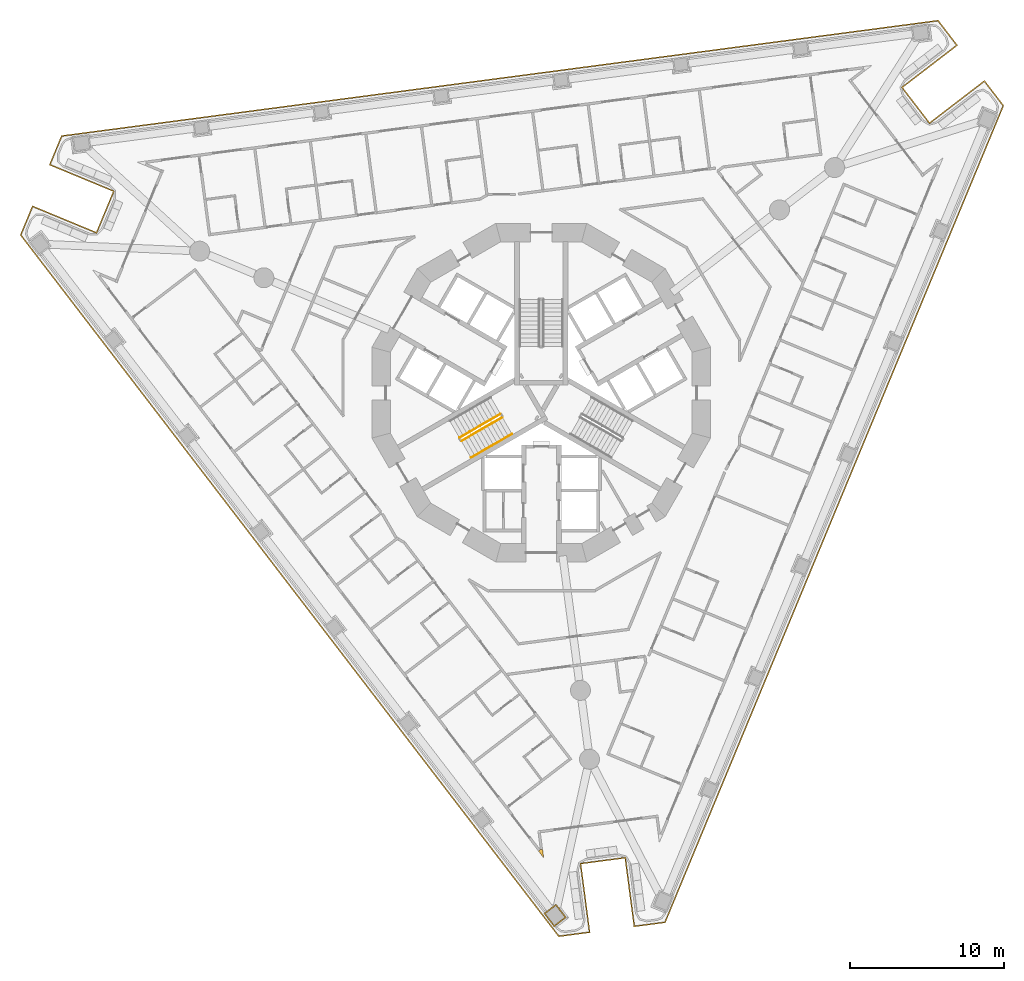
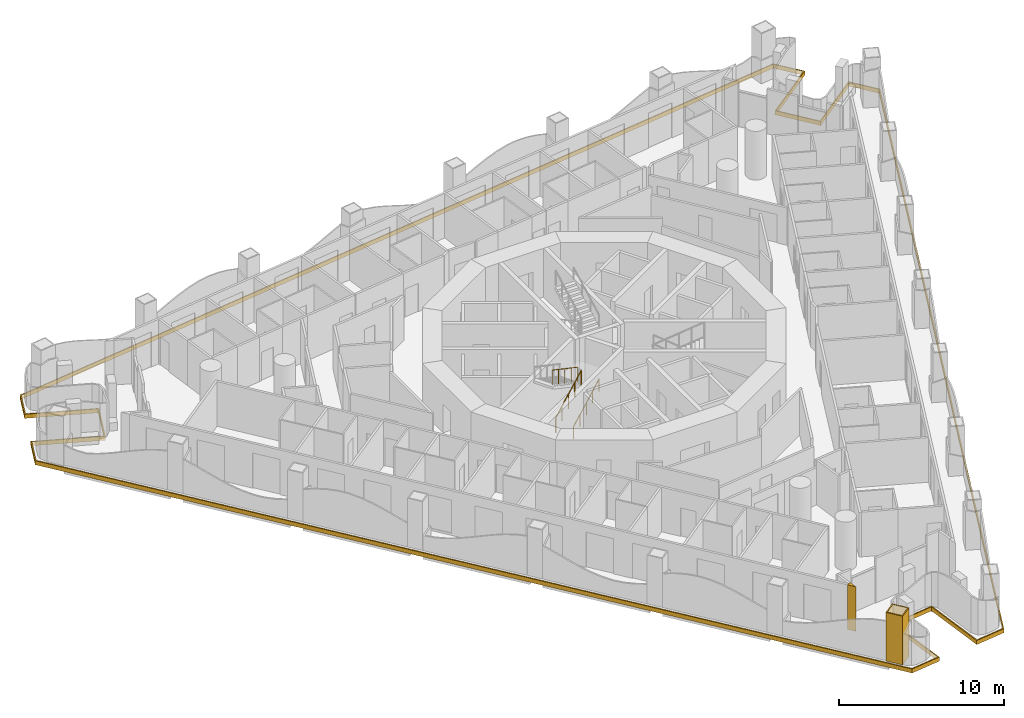
# One storey, part 13 of 19: 4 railings, 3 coverings.
"""IFC4 building model written with IfcOpenShell, lengths in metres."""

from ifc_helpers import new_model, si_unit, direction, frame, origin, origin_2d, place, context, subcontext, project, spatial, polyline, circle, outline, extrude, material, layer, layer_set, type_object, element, save


model = new_model("IFC4")

# Units and contexts
model_context = context("Model", 3, precision=1e-05, world=origin(), true_north=direction((0.0, 1.0)))
body_context = subcontext(model_context, "Body", "Model", "MODEL_VIEW")
ifc_project = project(units=[si_unit("LENGTHUNIT", "METRE"), si_unit("AREAUNIT", "SQUARE_METRE"), si_unit("VOLUMEUNIT", "CUBIC_METRE"), si_unit("PLANEANGLEUNIT", "RADIAN"), si_unit("MASSUNIT", "GRAM", prefix="KILO")], contexts=[model_context])

# Site, building, storey
site_placement = place(None, origin())
site = spatial("IfcSite", under=ifc_project, at=site_placement, CompositionType="ELEMENT")
building_placement = place(site_placement, origin())
building = spatial("IfcBuilding", under=site, at=building_placement, Name="Trine Commons Tower", CompositionType="ELEMENT")
storey_placement = place(building_placement, frame((0.0, 0.0, 57.60009765625)))
storey = spatial("IfcBuildingStorey", under=building, at=storey_placement, Name="L13", CompositionType="ELEMENT", Elevation=57.60009765625)

# Coverings
ifc_material_1 = material(Name="Aluminium-framed insulated wall panel", Category="aluminium")
ifc_layer_1 = layer(ifc_material_1, 0.14990234375)
ifc_layer_set_1 = layer_set([ifc_layer_1], Name="Aluminium-framed insulated wall panel")
covering_type_1 = type_object("IfcCoveringType", Name="Glazing corner post, aluminium", PredefinedType="CLADDING", material=ifc_layer_set_1)
covering_1_placement = place(storey_placement, origin())
element("IfcCovering", 1, at=covering_1_placement, inside=storey, type_object=covering_type_1, Name="Glazing corner post 2-12", PredefinedType="CLADDING", context=body_context, shape_type="SweptSolid", body=[
    extrude(outline(polyline([(79.818603515625, 32.697021484375), (80.159423828125, 32.2529296875), (80.086181640625, 32.80810546875), (79.9375, 32.788330078125), (79.818603515625, 32.697021484375)])), origin(), (0.0, 0.0, 1.0), 3.2998046875),
])
ifc_material_2 = material(Name="Limestone, honed", Category="masonry")
ifc_layer_2 = layer(ifc_material_2, 0.074951171875)
ifc_layer_set_2 = layer_set([ifc_layer_2], Name="Limestone, honed")
covering_type_2 = type_object("IfcCoveringType", Name="Limestone column cladding 75", PredefinedType="CLADDING", material=ifc_layer_set_2)
covering_2_placement = place(storey_placement, origin())
element("IfcCovering", 2, at=covering_2_placement, inside=storey, type_object=covering_type_2, Name="Limestone pier cladding 2-01", PredefinedType="CLADDING", context=body_context, shape_type="SweptSolid", body=[
    extrude(outline(polyline([(80.96142578125, 29.2529296875), (80.16796875, 28.644287109375), (80.837646484375, 27.771484375), (81.631103515625, 28.38037109375), (80.96142578125, 29.2529296875)]), holes=[polyline([(80.947509765625, 29.14794921875), (80.273193359375, 28.63037109375), (80.8515625, 27.876708984375), (81.52587890625, 28.394287109375), (80.947509765625, 29.14794921875)])]), origin(), (0.0, 0.0, 1.0), 3.599853515625),
])
ifc_layer_3 = layer(ifc_material_2, 0.074951171875)
ifc_layer_set_3 = layer_set([ifc_layer_3], Name="Limestone, honed")
covering_type_3 = type_object("IfcCoveringType", Name="Limestone spandrel panel 75", PredefinedType="CLADDING", material=ifc_layer_set_3)
covering_3_placement = place(storey_placement, frame((0.0, 0.0, -0.300048828125)))
element("IfcCovering", 3, at=covering_3_placement, inside=storey, type_object=covering_type_3, Name="Limestone spandrel panel 2-01", PredefinedType="CLADDING", context=body_context, shape_type="SweptSolid", body=[
    extrude(outline(polyline([(85.423583984375, 32.220458984375), (86.010986328125, 27.7587890625), (88.07568359375, 28.03076171875), (110.083740234375, 81.1630859375), (108.816162109375, 82.815185546875), (105.24609375, 80.07568359375), (103.510986328125, 82.3369140625), (107.081298828125, 85.076416015625), (105.8134765625, 86.728515625), (48.79541015625, 79.2216796875), (47.998291015625, 77.2978515625), (52.156005859375, 75.57568359375), (51.065185546875, 72.94287109375), (46.90771484375, 74.664794921875), (46.11083984375, 72.740966796875), (81.120849609375, 27.114990234375), (83.185302734375, 27.386962890625), (82.59814453125, 31.848388671875), (85.423583984375, 32.220458984375)]), holes=[polyline([(108.80224609375, 82.710205078125), (109.998046875, 81.15185546875), (88.02294921875, 28.099365234375), (86.07568359375, 27.843017578125), (85.48828125, 32.304443359375), (82.513916015625, 31.912841796875), (83.101318359375, 27.451416015625), (81.154052734375, 27.195068359375), (46.19677734375, 72.752197265625), (46.948486328125, 74.56689453125), (51.105712890625, 72.8447265625), (52.25390625, 75.616455078125), (48.096435546875, 77.33837890625), (48.847900390625, 79.153076171875), (105.780517578125, 86.6484375), (106.97607421875, 85.090087890625), (103.406005859375, 82.3505859375), (105.232177734375, 79.970703125), (108.80224609375, 82.710205078125)])]), origin(), (0.0, 0.0, 1.0), 0.300048828125),
])

# Railings
ifc_material_3 = material(Name="Stainless steel balustrade", Category="steel")
railing_type_1 = type_object("IfcRailingType", Name="Stair guard, steel balustrade 1100", PredefinedType="GUARDRAIL", material=ifc_material_3)
railing_1_placement = place(storey_placement, frame((74.80517578125, 59.3564453125, 0.14990234375)))
element("IfcRailing", 4, at=railing_1_placement, inside=storey, type_object=railing_type_1, Name="L13 ST2A stair guard 1", PredefinedType="GUARDRAIL", context=body_context, shape_type="SweptSolid", body=[
    extrude(circle(Radius=0.02392578125, at=origin_2d()), frame((0.0, 0.0, 1.076171875), z_axis=(0.76340495495, 0.440743040072, 0.472184759798), x_axis=(-0.499992328818, 0.866029832698, 0.0)), (0.0, 0.0, 1.0), 3.494140625),
    extrude(circle(Radius=0.02099609375, at=origin_2d()), origin(), (0.0, 0.0, 1.0), 1.052001953125),
    extrude(circle(Radius=0.02099609375, at=origin_2d()), frame((0.6669921875, 0.385009765625, 0.41259765625)), (0.0, 0.0, 1.0), 1.052001953125),
    extrude(circle(Radius=0.02099609375, at=origin_2d()), frame((1.333740234375, 0.77001953125, 0.824951171875)), (0.0, 0.0, 1.0), 1.052001953125),
    extrude(circle(Radius=0.02099609375, at=origin_2d()), frame((2.00048828125, 1.155029296875, 1.2373046875)), (0.0, 0.0, 1.0), 1.052001953125),
    extrude(circle(Radius=0.02099609375, at=origin_2d()), frame((2.66748046875, 1.5400390625, 1.64990234375)), (0.0, 0.0, 1.0), 1.052001953125),
])
railing_2_placement = place(storey_placement, frame((77.34765625, 61.113037109375, 1.949951171875)))
element("IfcRailing", 5, at=railing_2_placement, inside=storey, type_object=railing_type_1, Name="L13 ST2A stair guard 3", PredefinedType="GUARDRAIL", context=body_context, shape_type="SweptSolid", body=[
    extrude(circle(Radius=0.02392578125, at=origin_2d()), frame((0.0, 0.0, 1.076171875), z_axis=(-0.76340495495, -0.440743040072, 0.472184759798), x_axis=(0.499992328818, -0.866029832698, 0.0)), (0.0, 0.0, 1.0), 3.494140625),
    extrude(circle(Radius=0.02099609375, at=origin_2d()), origin(), (0.0, 0.0, 1.0), 1.052001953125),
    extrude(circle(Radius=0.02099609375, at=origin_2d()), frame((-0.6669921875, -0.385009765625, 0.41259765625)), (0.0, 0.0, 1.0), 1.052001953125),
    extrude(circle(Radius=0.02099609375, at=origin_2d()), frame((-1.333740234375, -0.77001953125, 0.824951171875)), (0.0, 0.0, 1.0), 1.052001953125),
    extrude(circle(Radius=0.02099609375, at=origin_2d()), frame((-2.00048828125, -1.155029296875, 1.2373046875)), (0.0, 0.0, 1.0), 1.052001953125),
    extrude(circle(Radius=0.02099609375, at=origin_2d()), frame((-2.66748046875, -1.5400390625, 1.64990234375)), (0.0, 0.0, 1.0), 1.052001953125),
])
ifc_material_4 = material(Name="Stainless steel handrail", Category="steel")
railing_type_2 = type_object("IfcRailingType", Name="Stair handrail, steel 900", PredefinedType="HANDRAIL", material=ifc_material_4)
for number, where, name in (
    (6, (75.43017578125, 58.27392578125, 0.14990234375), "L13 ST2A stair handrail 1"),
    (7, (76.763916015625, 59.0439453125, 0.974853515625), "L13 ST2A stair handrail 2"),
):
    element("IfcRailing", number, at=place(storey_placement, frame(where)), inside=storey, type_object=railing_type_2, Name=name, PredefinedType="HANDRAIL", context=body_context, shape_type="SweptSolid", body=[
        extrude(circle(Radius=0.02099609375, at=origin_2d()), frame((0.0, 0.0, 0.87890625), z_axis=(0.76340495495, 0.440743040072, 0.472184759798), x_axis=(-0.499992328818, 0.866029832698, 0.0)), (0.0, 0.0, 1.0), 1.7470703125),
        extrude(circle(Radius=0.01513671875, at=origin_2d()), origin(), (0.0, 0.0, 1.0), 0.85791015625),
        extrude(circle(Radius=0.01513671875, at=origin_2d()), frame((0.6669921875, 0.385009765625, 0.41259765625)), (0.0, 0.0, 1.0), 0.85791015625),
        extrude(circle(Radius=0.01513671875, at=origin_2d()), frame((1.333740234375, 0.77001953125, 0.824951171875)), (0.0, 0.0, 1.0), 0.85791015625),
    ])

save(model, "model.ifc")
